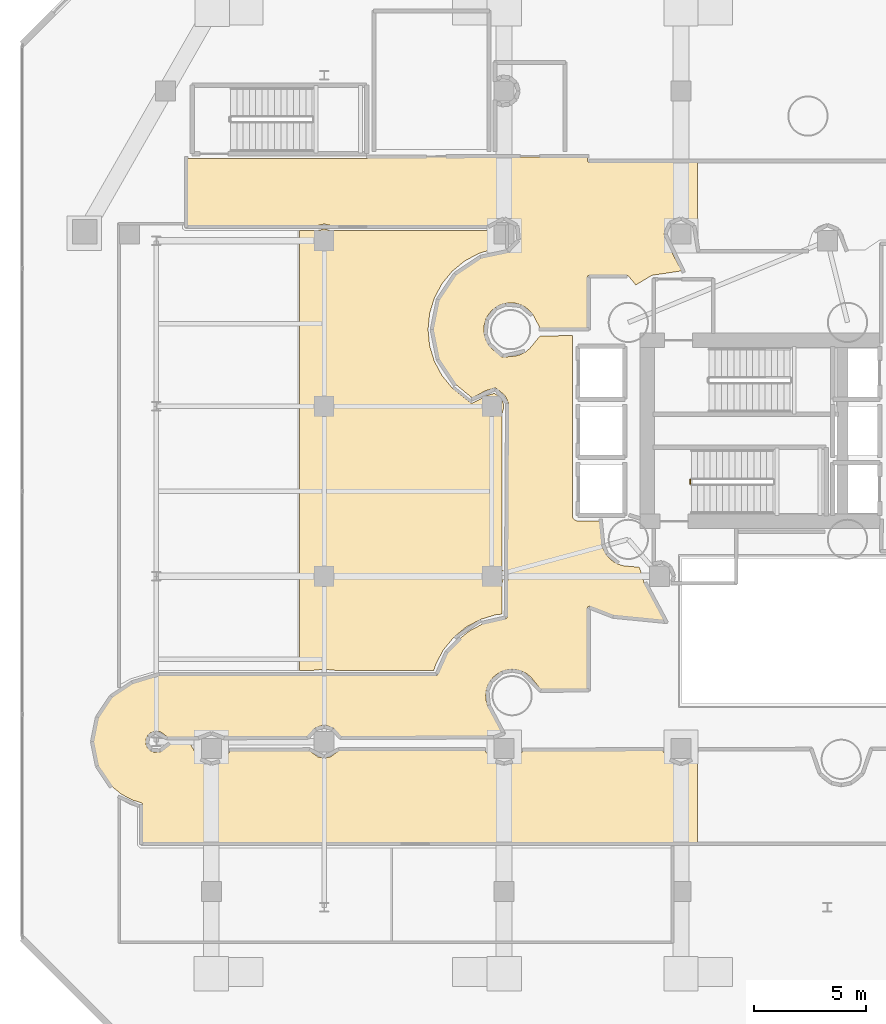
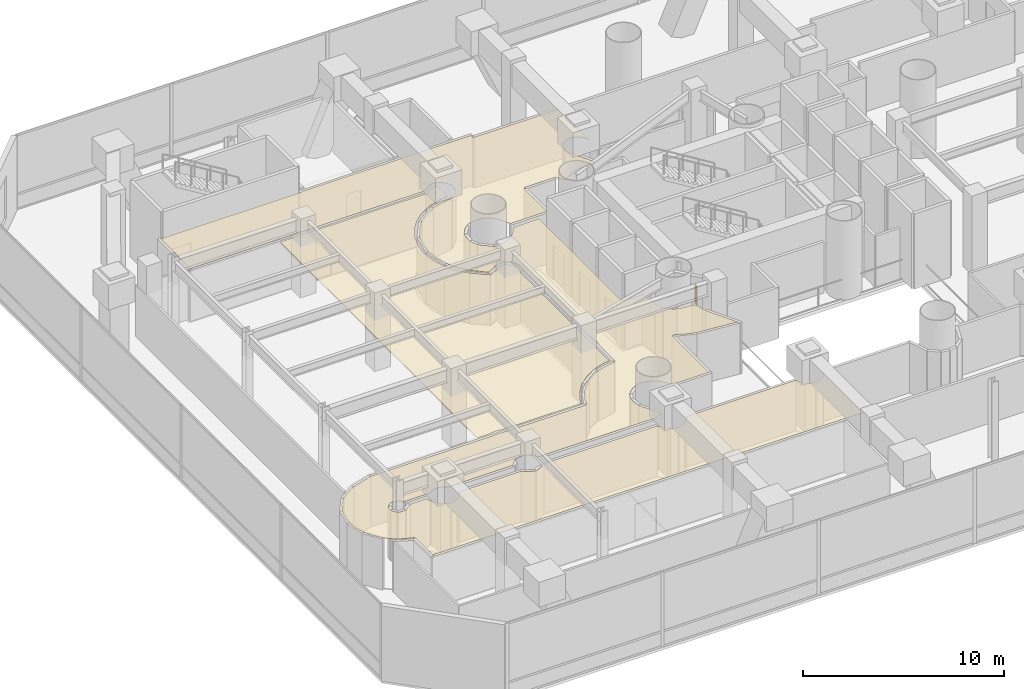
# One storey, part 37 of 45: 2 coverings, 1 railing.
"""IFC4 building model written with IfcOpenShell, lengths in metres."""

from ifc_helpers import new_model, si_unit, direction, frame, origin, origin_2d, place, context, subcontext, project, spatial, polyline, rectangle, outline, extrude, material, layer, layer_set, type_object, element, save


model = new_model("IFC4")

# Units and contexts
model_context = context("Model", 3, precision=1e-05, world=origin(), true_north=direction((0.0, 1.0)))
body_context = subcontext(model_context, "Body", "Model", "MODEL_VIEW")
ifc_project = project(units=[si_unit("LENGTHUNIT", "METRE"), si_unit("AREAUNIT", "SQUARE_METRE"), si_unit("VOLUMEUNIT", "CUBIC_METRE"), si_unit("PLANEANGLEUNIT", "RADIAN"), si_unit("MASSUNIT", "GRAM", prefix="KILO")], contexts=[model_context])

# Site, building, storey
site_placement = place(None, origin())
site = spatial("IfcSite", under=ifc_project, at=site_placement, CompositionType="ELEMENT")
building_placement = place(site_placement, origin())
building = spatial("IfcBuilding", under=site, at=building_placement, Name="Qianvela Tower", CompositionType="ELEMENT")
storey_placement = place(building_placement, frame((0.0, 0.0, 11.0)))
storey = spatial("IfcBuildingStorey", under=building, at=storey_placement, Name="L02", CompositionType="ELEMENT", Elevation=11.0)

# Coverings
ifc_material_1 = material(Name="Perforated Mineral Acoustic Ceiling Tile")
ifc_layer = layer(ifc_material_1, 0.02490234375)
ifc_layer_set = layer_set([ifc_layer], Name="Perforated Mineral Acoustic Ceiling Tile")
covering_type = type_object("IfcCoveringType", Name="COV-CEIL-ACOUSTIC-25", PredefinedType="CEILING", material=ifc_layer_set)
covering_1_placement = place(storey_placement, frame((0.0, 0.0, 3.074951171875)))
element("IfcCovering", 1, at=covering_1_placement, inside=storey, type_object=covering_type, Name="L02 Acoustic Ceiling Bay 1 L02 Concourse Gallery Corridor", PredefinedType="CEILING", context=body_context, shape_type="SweptSolid", body=[
    extrude(outline(polyline([(7.6953125, 15.237548828125), (7.68896484375, 15.2412109375), (7.682373046875, 15.243896484375), (7.67529296875, 15.246337890625), (7.668212890625, 15.248046875), (7.660888671875, 15.249267578125), (7.4296875, 15.27197265625), (7.422119140625, 15.272216796875), (7.4140625, 15.27197265625), (7.406494140625, 15.270751953125), (7.398681640625, 15.268798828125), (7.391357421875, 15.26611328125), (7.247314453125, 15.20654296875), (7.239990234375, 15.203125), (7.2333984375, 15.19921875), (7.22705078125, 15.1943359375), (7.22119140625, 15.189208984375), (7.11083984375, 15.078857421875), (7.105712890625, 15.072998046875), (7.100830078125, 15.066650390625), (7.096923828125, 15.059814453125), (7.093505859375, 15.052734375), (7.03369140625, 14.90869140625), (7.031005859375, 14.9013671875), (7.029296875, 14.8935546875), (7.028076171875, 14.885986328125), (7.027587890625, 14.8779296875), (7.027587890625, 14.721923828125), (7.028076171875, 14.714111328125), (7.029296875, 14.706298828125), (7.031005859375, 14.69873046875), (7.03369140625, 14.69140625), (7.093505859375, 14.547119140625), (7.096923828125, 14.5400390625), (7.100830078125, 14.533203125), (7.105712890625, 14.527099609375), (7.11083984375, 14.521240234375), (7.22119140625, 14.410888671875), (7.22705078125, 14.405517578125), (7.2333984375, 14.40087890625), (7.239990234375, 14.39697265625), (7.247314453125, 14.3935546875), (7.391357421875, 14.333740234375), (7.398681640625, 14.3310546875), (7.406494140625, 14.3291015625), (7.4140625, 14.328125), (7.422119140625, 14.32763671875), (7.4296875, 14.328125), (7.660888671875, 14.350830078125), (7.668212890625, 14.351806640625), (7.675537109375, 14.353759765625), (7.6826171875, 14.356201171875), (7.689453125, 14.359130859375), (7.69580078125, 14.36279296875), (7.701904296875, 14.3671875), (8.094482421875, 14.67041015625), (9.038818359375, 14.6728515625), (9.344482421875, 14.101318359375), (9.348388671875, 14.094482421875), (9.35302734375, 14.088134765625), (9.433837890625, 13.989501953125), (9.439208984375, 13.98388671875), (9.445068359375, 13.978515625), (9.451416015625, 13.973876953125), (9.662109375, 13.8330078125), (9.6689453125, 13.828857421875), (9.676025390625, 13.82568359375), (9.683349609375, 13.822998046875), (9.69091796875, 13.821044921875), (9.939697265625, 13.771484375), (9.947509765625, 13.7705078125), (9.955322265625, 13.77001953125), (9.963134765625, 13.7705078125), (9.970947265625, 13.771484375), (10.2197265625, 13.821044921875), (10.227294921875, 13.822998046875), (10.23486328125, 13.82568359375), (10.241943359375, 13.828857421875), (10.354248046875, 13.888916015625), (10.361083984375, 13.89306640625), (10.3671875, 13.897705078125), (10.4658203125, 13.978515625), (10.4716796875, 13.98388671875), (10.476806640625, 13.989501953125), (10.81005859375, 14.3955078125), (14.338623046875, 14.404296875), (14.703857421875, 14.135009765625), (14.711181640625, 14.13037109375), (14.718994140625, 14.126220703125), (14.72705078125, 14.123291015625), (14.735595703125, 14.12109375), (14.984375, 14.071533203125), (14.9921875, 14.0703125), (15.0, 14.070068359375), (15.0078125, 14.0703125), (15.015625, 14.071533203125), (15.264404296875, 14.12109375), (15.27294921875, 14.123291015625), (15.281005859375, 14.126220703125), (15.288818359375, 14.13037109375), (15.29638671875, 14.135009765625), (15.665283203125, 14.40771484375), (22.166748046875, 14.423828125), (22.523193359375, 13.989501953125), (22.5283203125, 13.98388671875), (22.5341796875, 13.978515625), (22.6328125, 13.897705078125), (22.638916015625, 13.89306640625), (22.645751953125, 13.888916015625), (22.65283203125, 13.885498046875), (22.88720703125, 13.78857421875), (22.89453125, 13.785888671875), (22.902099609375, 13.783935546875), (22.909912109375, 13.782958984375), (23.036865234375, 13.7705078125), (23.044677734375, 13.77001953125), (23.052490234375, 13.7705078125), (23.17919921875, 13.782958984375), (23.18701171875, 13.783935546875), (23.194580078125, 13.785888671875), (23.201904296875, 13.78857421875), (23.436279296875, 13.885498046875), (23.443359375, 13.888916015625), (23.4501953125, 13.89306640625), (23.45654296875, 13.897705078125), (23.554931640625, 13.978515625), (23.560791015625, 13.98388671875), (23.566162109375, 13.989501953125), (23.899169921875, 14.3955078125), (30.12841796875, 14.4111328125), (30.4150390625, 13.981689453125), (30.419921875, 13.9755859375), (30.425048828125, 13.9697265625), (30.430908203125, 13.96435546875), (30.437255859375, 13.959716796875), (30.654541015625, 13.814453125), (30.661376953125, 13.810302734375), (30.66845703125, 13.80712890625), (30.67578125, 13.804443359375), (30.683349609375, 13.802490234375), (30.939697265625, 13.75146484375), (30.947509765625, 13.75048828125), (30.955322265625, 13.75), (30.963134765625, 13.75048828125), (30.970947265625, 13.75146484375), (31.227294921875, 13.802490234375), (31.235107421875, 13.804443359375), (31.242431640625, 13.80712890625), (31.24951171875, 13.810302734375), (31.256103515625, 13.814453125), (31.4736328125, 13.959716796875), (31.47998046875, 13.96435546875), (31.485595703125, 13.9697265625), (31.490966796875, 13.9755859375), (31.49560546875, 13.981689453125), (31.68701171875, 14.26806640625), (31.68701171875, 10.280029296875), (6.8798828125, 10.280029296875), (6.8798828125, 11.996337890625), (6.879638671875, 12.00439453125), (6.87841796875, 12.01220703125), (6.876708984375, 12.019775390625), (6.873779296875, 12.027099609375), (6.87060546875, 12.0341796875), (6.866455078125, 12.041015625), (6.86181640625, 12.047119140625), (6.856689453125, 12.052978515625), (6.850830078125, 12.058349609375), (6.844482421875, 12.06298828125), (6.837646484375, 12.06689453125), (6.83056640625, 12.0703125), (6.8232421875, 12.072998046875), (6.4208984375, 12.195068359375), (5.93359375, 12.45556640625), (5.506103515625, 12.80615234375), (5.155517578125, 13.2333984375), (4.89501953125, 13.720947265625), (4.734619140625, 14.25), (4.680419921875, 14.800048828125), (4.734619140625, 15.35009765625), (4.89501953125, 15.87890625), (5.155517578125, 16.366455078125), (5.506103515625, 16.793701171875), (5.93359375, 17.144287109375), (6.4208984375, 17.405029296875), (7.624267578125, 17.77001953125), (14.4921875, 17.77001953125), (14.500244140625, 17.7705078125), (15.0, 17.819580078125), (15.499755859375, 17.7705078125), (15.5078125, 17.77001953125), (20.012451171875, 17.77001953125), (20.020263671875, 17.7705078125), (20.028076171875, 17.771484375), (20.03564453125, 17.7734375), (20.043212890625, 17.776123046875), (20.050048828125, 17.779296875), (20.056884765625, 17.783447265625), (20.063232421875, 17.7880859375), (20.069091796875, 17.79345703125), (20.07421875, 17.79931640625), (20.0791015625, 17.8056640625), (20.0830078125, 17.812255859375), (20.086181640625, 17.8193359375), (20.089111328125, 17.826904296875), (20.198486328125, 18.187744140625), (20.51904296875, 18.78759765625), (20.95068359375, 19.3134765625), (21.476318359375, 19.744873046875), (22.076171875, 20.0654296875), (22.72705078125, 20.262939453125), (23.10791015625, 20.30029296875), (23.115478515625, 20.301513671875), (23.123291015625, 20.303466796875), (23.130615234375, 20.30615234375), (23.1376953125, 20.3095703125), (23.144287109375, 20.3134765625), (23.15087890625, 20.318115234375), (23.156494140625, 20.323486328125), (23.161865234375, 20.329345703125), (23.16650390625, 20.335693359375), (23.170654296875, 20.34228515625), (23.173828125, 20.349365234375), (23.176513671875, 20.356689453125), (23.178466796875, 20.364501953125), (23.1796875, 20.372314453125), (23.179931640625, 20.380126953125), (23.179931640625, 21.872314453125), (23.248046875, 22.182861328125), (23.24951171875, 22.19140625), (23.25, 22.199951171875), (23.24951171875, 22.20849609375), (23.248046875, 22.217041015625), (23.179931640625, 22.527587890625), (23.179931640625, 29.468994140625), (23.233642578125, 29.64599609375), (23.235595703125, 29.65380859375), (23.23681640625, 29.661376953125), (23.237060546875, 29.669189453125), (23.237060546875, 29.9306640625), (23.23681640625, 29.938720703125), (23.235595703125, 29.9462890625), (23.233642578125, 29.953857421875), (23.23095703125, 29.961181640625), (23.131103515625, 30.202880859375), (23.127685546875, 30.2099609375), (23.12353515625, 30.216796875), (23.118896484375, 30.222900390625), (23.03564453125, 30.324462890625), (23.0302734375, 30.330322265625), (23.0244140625, 30.335693359375), (22.6982421875, 30.603515625), (22.69189453125, 30.60791015625), (22.685302734375, 30.612060546875), (22.677978515625, 30.615478515625), (22.670654296875, 30.6181640625), (22.6630859375, 30.6201171875), (22.6552734375, 30.62109375), (22.6474609375, 30.62158203125), (22.6396484375, 30.62109375), (22.6318359375, 30.6201171875), (22.624267578125, 30.6181640625), (22.220458984375, 30.49560546875), (22.212890625, 30.492919921875), (22.205810546875, 30.489501953125), (21.6162109375, 30.17431640625), (20.884521484375, 30.774658203125), (20.453125, 31.30029296875), (20.132568359375, 31.900146484375), (19.93505859375, 32.551025390625), (19.868408203125, 33.22802734375), (19.93505859375, 33.90478515625), (20.132568359375, 34.555908203125), (20.453125, 35.155517578125), (20.884521484375, 35.681396484375), (21.410400390625, 36.11279296875), (22.01025390625, 36.43359375), (22.6611328125, 36.630859375), (23.20703125, 36.684814453125), (23.21484375, 36.685791015625), (23.222412109375, 36.687744140625), (23.229736328125, 36.6904296875), (23.23681640625, 36.69384765625), (23.24365234375, 36.69775390625), (23.25, 36.702392578125), (23.569091796875, 36.96435546875), (23.574951171875, 36.9697265625), (23.580078125, 36.9755859375), (23.5849609375, 36.981689453125), (23.72998046875, 37.19921875), (23.734130859375, 37.205810546875), (23.737548828125, 37.212890625), (23.740234375, 37.220458984375), (23.7421875, 37.22802734375), (23.793212890625, 37.484375), (23.794189453125, 37.4921875), (23.794677734375, 37.5), (23.794189453125, 37.5078125), (23.78125, 37.638671875), (23.7802734375, 37.646240234375), (23.7783203125, 37.65380859375), (23.775634765625, 37.661376953125), (23.675537109375, 37.90283203125), (23.672119140625, 37.909912109375), (23.668212890625, 37.916748046875), (23.66357421875, 37.923095703125), (23.658203125, 37.9287109375), (23.473388671875, 38.11376953125), (23.467529296875, 38.118896484375), (23.461181640625, 38.12353515625), (23.45458984375, 38.127685546875), (23.447509765625, 38.131103515625), (23.205810546875, 38.23095703125), (23.198486328125, 38.233642578125), (23.19091796875, 38.235595703125), (23.18310546875, 38.23681640625), (23.052490234375, 38.24951171875), (23.044677734375, 38.25), (23.036865234375, 38.24951171875), (22.906005859375, 38.23681640625), (22.898193359375, 38.235595703125), (22.890625, 38.233642578125), (22.88330078125, 38.23095703125), (22.641845703125, 38.131103515625), (22.634765625, 38.127685546875), (22.6279296875, 38.12353515625), (22.62158203125, 38.118896484375), (22.33056640625, 37.8798828125), (15.32763671875, 37.8798828125), (15.01708984375, 37.947998046875), (15.008544921875, 37.949462890625), (15.0, 37.949951171875), (14.991455078125, 37.949462890625), (14.98291015625, 37.947998046875), (14.67236328125, 37.8798828125), (8.8798828125, 37.8798828125), (8.8798828125, 40.8798828125), (16.89990234375, 40.8798828125), (16.908203125, 40.88037109375), (16.916015625, 40.881591796875), (16.923828125, 40.8837890625), (17.103759765625, 40.93994140625), (26.77001953125, 40.93994140625), (26.77001953125, 40.800048828125), (26.7705078125, 40.792236328125), (26.771484375, 40.784423828125), (26.7734375, 40.77685546875), (26.776123046875, 40.769287109375), (26.779296875, 40.76220703125), (26.783447265625, 40.755615234375), (26.7880859375, 40.749267578125), (26.79345703125, 40.743408203125), (26.79931640625, 40.73828125), (26.8056640625, 40.7333984375), (26.812255859375, 40.7294921875), (26.8193359375, 40.72607421875), (26.826904296875, 40.723388671875), (26.83447265625, 40.721435546875), (26.84228515625, 40.720458984375), (26.85009765625, 40.719970703125), (31.68701171875, 40.719970703125), (31.68701171875, 37.659912109375), (31.686279296875, 37.661376953125), (31.58642578125, 37.90283203125), (31.5830078125, 37.909912109375), (31.5791015625, 37.916748046875), (31.57421875, 37.923095703125), (31.569091796875, 37.9287109375), (31.38427734375, 38.11376953125), (31.37841796875, 38.118896484375), (31.3720703125, 38.12353515625), (31.365234375, 38.127685546875), (31.358154296875, 38.131103515625), (31.11669921875, 38.23095703125), (31.109375, 38.233642578125), (31.101806640625, 38.235595703125), (31.093994140625, 38.23681640625), (30.963134765625, 38.24951171875), (30.955322265625, 38.25), (30.947509765625, 38.24951171875), (30.939697265625, 38.24853515625), (30.683349609375, 38.197509765625), (30.67578125, 38.195556640625), (30.66845703125, 38.19287109375), (30.661376953125, 38.189697265625), (30.654541015625, 38.185546875), (30.437255859375, 38.040283203125), (30.430908203125, 38.03564453125), (30.425048828125, 38.0302734375), (30.419921875, 38.0244140625), (30.4150390625, 38.018310546875), (30.27001953125, 37.80078125), (30.265869140625, 37.794189453125), (30.262451171875, 37.787109375), (30.259765625, 37.779541015625), (30.2578125, 37.77197265625), (30.206787109375, 37.515625), (30.205810546875, 37.5078125), (30.205322265625, 37.5), (30.205810546875, 37.4921875), (30.206787109375, 37.484375), (30.2578125, 37.22802734375), (30.259765625, 37.220458984375), (30.262451171875, 37.212890625), (30.265869140625, 37.205810546875), (30.988037109375, 35.854736328125), (29.670166015625, 35.658447265625), (29.66259765625, 35.656982421875), (29.655029296875, 35.65478515625), (29.64794921875, 35.651611328125), (29.64111328125, 35.64794921875), (28.93408203125, 35.226318359375), (28.60205078125, 35.630859375), (28.5966796875, 35.63671875), (28.5908203125, 35.641845703125), (28.584716796875, 35.646484375), (28.577880859375, 35.650634765625), (28.57080078125, 35.65380859375), (28.563232421875, 35.656494140625), (28.5556640625, 35.658447265625), (28.548095703125, 35.65966796875), (28.5400390625, 35.659912109375), (26.85009765625, 35.659912109375), (26.84228515625, 35.65966796875), (26.83447265625, 35.658447265625), (26.826904296875, 35.656494140625), (26.8193359375, 35.65380859375), (26.812255859375, 35.650634765625), (26.8056640625, 35.646484375), (26.79931640625, 35.641845703125), (26.79345703125, 35.63671875), (26.7880859375, 35.630859375), (26.783447265625, 35.62451171875), (26.779296875, 35.61767578125), (26.776123046875, 35.610595703125), (26.7734375, 35.603271484375), (26.771484375, 35.595703125), (26.7705078125, 35.587890625), (26.77001953125, 35.580078125), (26.77001953125, 33.29736328125), (24.658203125, 33.2919921875), (24.33984375, 33.887939453125), (24.335693359375, 33.894775390625), (24.3310546875, 33.90087890625), (24.19189453125, 34.07080078125), (24.1865234375, 34.076416015625), (24.1806640625, 34.081787109375), (24.010986328125, 34.22119140625), (24.004638671875, 34.225830078125), (23.998046875, 34.229736328125), (23.80419921875, 34.333251953125), (23.797119140625, 34.336669921875), (23.789794921875, 34.33935546875), (23.57958984375, 34.403076171875), (23.572021484375, 34.40478515625), (23.564208984375, 34.406005859375), (23.345703125, 34.427490234375), (23.337890625, 34.427978515625), (23.330078125, 34.427490234375), (23.11181640625, 34.406005859375), (23.10400390625, 34.40478515625), (23.09619140625, 34.403076171875), (22.88623046875, 34.33935546875), (22.87890625, 34.336669921875), (22.87158203125, 34.333251953125), (22.677978515625, 34.229736328125), (22.67138671875, 34.225830078125), (22.6650390625, 34.22119140625), (22.495361328125, 34.081787109375), (22.489501953125, 34.076416015625), (22.484130859375, 34.07080078125), (22.344970703125, 33.90087890625), (22.340087890625, 33.894775390625), (22.336181640625, 33.887939453125), (22.232666015625, 33.6943359375), (22.229248046875, 33.687255859375), (22.226806640625, 33.6796875), (22.1630859375, 33.4697265625), (22.1611328125, 33.462158203125), (22.159912109375, 33.454345703125), (22.138427734375, 33.23583984375), (22.137939453125, 33.22802734375), (22.138427734375, 33.22021484375), (22.159912109375, 33.001708984375), (22.1611328125, 32.993896484375), (22.1630859375, 32.986328125), (22.226806640625, 32.776123046875), (22.229248046875, 32.768798828125), (22.232666015625, 32.76171875), (22.336181640625, 32.568115234375), (22.340087890625, 32.561279296875), (22.344970703125, 32.554931640625), (22.484130859375, 32.38525390625), (22.489501953125, 32.37939453125), (22.495361328125, 32.374267578125), (22.93701171875, 32.01171875), (22.943359375, 32.007080078125), (22.9501953125, 32.0029296875), (22.957275390625, 31.99951171875), (22.964599609375, 31.9970703125), (22.97216796875, 31.9951171875), (22.97998046875, 31.993896484375), (22.98779296875, 31.993408203125), (22.99560546875, 31.993896484375), (23.564208984375, 32.0498046875), (23.572021484375, 32.051025390625), (23.57958984375, 32.052978515625), (23.789794921875, 32.11669921875), (23.797119140625, 32.119384765625), (23.80419921875, 32.122802734375), (23.998046875, 32.226318359375), (24.004638671875, 32.230224609375), (24.010986328125, 32.23486328125), (24.1806640625, 32.374267578125), (24.1865234375, 32.37939453125), (24.19189453125, 32.38525390625), (24.656982421875, 32.951904296875), (26.099609375, 32.95556640625), (26.10595703125, 24.859375), (26.1064453125, 24.8515625), (26.107666015625, 24.84375), (26.109619140625, 24.836181640625), (26.112060546875, 24.82861328125), (26.115478515625, 24.821533203125), (26.119384765625, 24.81494140625), (26.164794921875, 24.747314453125), (26.169189453125, 24.740966796875), (26.174560546875, 24.735107421875), (26.180419921875, 24.72998046875), (26.186767578125, 24.725341796875), (26.193603515625, 24.72119140625), (26.20068359375, 24.718017578125), (26.275634765625, 24.686767578125), (26.282958984375, 24.68408203125), (26.29052734375, 24.68212890625), (26.29833984375, 24.68115234375), (26.30615234375, 24.6806640625), (27.31787109375, 24.679931640625), (27.421875, 23.623779296875), (27.423095703125, 23.615966796875), (27.425048828125, 23.6083984375), (27.48876953125, 23.398193359375), (27.4912109375, 23.390869140625), (27.49462890625, 23.3837890625), (27.59814453125, 23.18994140625), (27.602294921875, 23.183349609375), (27.60693359375, 23.177001953125), (27.74609375, 23.00732421875), (27.75146484375, 23.00146484375), (27.75732421875, 22.99609375), (27.927001953125, 22.85693359375), (27.933349609375, 22.852294921875), (27.93994140625, 22.84814453125), (28.1337890625, 22.74462890625), (28.140869140625, 22.7412109375), (28.148193359375, 22.73876953125), (28.3583984375, 22.675048828125), (28.365966796875, 22.673095703125), (28.373779296875, 22.671875), (29.09814453125, 22.6005859375), (29.304443359375, 21.92041015625), (29.30712890625, 21.9130859375), (29.310302734375, 21.906005859375), (30.210693359375, 20.2216796875), (27.923095703125, 20.447021484375), (27.272216796875, 20.64453125), (26.8876953125, 20.85009765625), (26.880615234375, 20.853515625), (26.873291015625, 20.85595703125), (26.865478515625, 20.85791015625), (26.85791015625, 20.859130859375), (26.85009765625, 20.859619140625), (26.84228515625, 20.859130859375), (26.83447265625, 20.85791015625), (26.826904296875, 20.85595703125), (26.8193359375, 20.853515625), (26.812255859375, 20.85009765625), (26.8056640625, 20.845947265625), (26.79931640625, 20.84130859375), (26.79345703125, 20.8359375), (26.7880859375, 20.830078125), (26.783447265625, 20.823974609375), (26.779296875, 20.817138671875), (26.776123046875, 20.81005859375), (26.7734375, 20.802734375), (26.771484375, 20.795166015625), (26.7705078125, 20.787353515625), (26.77001953125, 20.779541015625), (26.77001953125, 17.145751953125), (24.693359375, 17.140380859375), (24.24365234375, 17.688720703125), (24.23828125, 17.6943359375), (24.232666015625, 17.69970703125), (24.06591796875, 17.83642578125), (24.0595703125, 17.841064453125), (24.052734375, 17.84521484375), (23.86279296875, 17.94677734375), (23.855712890625, 17.9501953125), (23.84814453125, 17.952880859375), (23.641845703125, 18.015380859375), (23.63427734375, 18.017333984375), (23.62646484375, 18.0185546875), (23.411865234375, 18.03955078125), (23.404052734375, 18.0400390625), (23.396240234375, 18.03955078125), (23.181640625, 18.0185546875), (23.173828125, 18.017333984375), (23.166259765625, 18.015380859375), (22.959716796875, 17.952880859375), (22.952392578125, 17.9501953125), (22.9453125, 17.94677734375), (22.755126953125, 17.84521484375), (22.748291015625, 17.841064453125), (22.7421875, 17.83642578125), (22.575439453125, 17.69970703125), (22.569580078125, 17.6943359375), (22.564208984375, 17.688720703125), (22.427490234375, 17.52197265625), (22.4228515625, 17.515625), (22.418701171875, 17.5087890625), (22.317138671875, 17.318603515625), (22.313720703125, 17.3115234375), (22.311279296875, 17.30419921875), (22.24853515625, 17.097900390625), (22.24658203125, 17.090087890625), (22.24560546875, 17.08251953125), (22.224365234375, 16.867919921875), (22.22412109375, 16.860107421875), (22.224365234375, 16.852294921875), (22.24560546875, 16.6376953125), (22.24658203125, 16.6298828125), (22.24853515625, 16.622314453125), (22.311279296875, 16.415771484375), (22.313720703125, 16.408447265625), (22.317138671875, 16.4013671875), (22.955078125, 15.20751953125), (22.782958984375, 15.179443359375), (22.774658203125, 15.177734375), (22.7666015625, 15.175048828125), (22.759033203125, 15.17138671875), (22.751708984375, 15.167236328125), (22.569580078125, 15.046630859375), (15.74951171875, 15.029541015625), (15.42041015625, 15.39404296875), (15.41552734375, 15.399169921875), (15.41015625, 15.40380859375), (15.404296875, 15.40771484375), (15.398193359375, 15.411376953125), (15.3916015625, 15.414306640625), (15.157470703125, 15.511474609375), (15.14990234375, 15.51416015625), (15.142333984375, 15.51611328125), (15.134765625, 15.51708984375), (15.0078125, 15.529541015625), (15.0, 15.530029296875), (14.9921875, 15.529541015625), (14.865234375, 15.51708984375), (14.857666015625, 15.51611328125), (14.85009765625, 15.51416015625), (14.842529296875, 15.511474609375), (14.6083984375, 15.414306640625), (14.601806640625, 15.411376953125), (14.595703125, 15.40771484375), (14.58984375, 15.40380859375), (14.58447265625, 15.399169921875), (14.57958984375, 15.39404296875), (14.247314453125, 15.02587890625), (10.531005859375, 15.0166015625), (10.241943359375, 15.171142578125), (10.23486328125, 15.17431640625), (10.227294921875, 15.177001953125), (10.2197265625, 15.178955078125), (9.970947265625, 15.228515625), (9.963134765625, 15.2294921875), (9.955322265625, 15.22998046875), (9.947509765625, 15.2294921875), (9.939697265625, 15.228515625), (9.69091796875, 15.178955078125), (9.683349609375, 15.177001953125), (9.676025390625, 15.17431640625), (9.6689453125, 15.171142578125), (9.37451171875, 15.013671875), (7.99560546875, 15.01025390625), (7.701416015625, 15.2333984375), (7.6953125, 15.237548828125)])), origin(), (0.0, 0.0, 1.0), 0.025146484375),
])
covering_2_placement = place(storey_placement, frame((0.0, 0.0, 3.074951171875)))
element("IfcCovering", 2, at=covering_2_placement, inside=storey, type_object=covering_type, Name="L02 Acoustic Ceiling Bay 2 L02 Social Study Lounge West", PredefinedType="CEILING", context=body_context, shape_type="SweptSolid", body=[
    extrude(outline(polyline([(22.622802734375, 36.849853515625), (22.616455078125, 36.848876953125), (22.610107421875, 36.84716796875), (21.9326171875, 36.6416015625), (21.925048828125, 36.638916015625), (21.91796875, 36.635498046875), (21.293701171875, 36.3017578125), (21.286865234375, 36.2978515625), (21.280517578125, 36.293212890625), (20.733154296875, 35.843994140625), (20.727294921875, 35.838623046875), (20.72216796875, 35.832763671875), (20.27294921875, 35.285400390625), (20.268310546875, 35.279296875), (20.26416015625, 35.2724609375), (19.930419921875, 34.64794921875), (19.927001953125, 34.640869140625), (19.92431640625, 34.633544921875), (19.71875, 33.955810546875), (19.716796875, 33.9482421875), (19.7158203125, 33.9404296875), (19.646484375, 33.23583984375), (19.64599609375, 33.22802734375), (19.646484375, 33.22021484375), (19.7158203125, 32.515380859375), (19.716796875, 32.5078125), (19.71875, 32.5), (19.92431640625, 31.822509765625), (19.927001953125, 31.815185546875), (19.930419921875, 31.80810546875), (20.26416015625, 31.18359375), (20.268310546875, 31.1767578125), (20.27294921875, 31.17041015625), (20.72216796875, 30.623291015625), (20.7275390625, 30.6171875), (20.73388671875, 30.611572265625), (21.55029296875, 29.95458984375), (21.556640625, 29.949951171875), (21.563232421875, 29.946044921875), (21.5703125, 29.94287109375), (21.577392578125, 29.940185546875), (21.5849609375, 29.9384765625), (21.592529296875, 29.937255859375), (21.600341796875, 29.936767578125), (21.60791015625, 29.937255859375), (21.615478515625, 29.938232421875), (21.623046875, 29.940185546875), (21.63037109375, 29.942626953125), (21.63720703125, 29.94580078125), (22.297607421875, 30.287109375), (22.6162109375, 30.383544921875), (22.872802734375, 30.1728515625), (22.93408203125, 30.098388671875), (23.01513671875, 29.902587890625), (23.01513671875, 29.689697265625), (22.961181640625, 29.503173828125), (22.95947265625, 29.495849609375), (22.95849609375, 29.488525390625), (22.9580078125, 29.48095703125), (22.9580078125, 22.51904296875), (22.95849609375, 22.510498046875), (22.959716796875, 22.502197265625), (23.024658203125, 22.199951171875), (22.959716796875, 21.897705078125), (22.95849609375, 21.889404296875), (22.9580078125, 21.881103515625), (22.9580078125, 20.5087890625), (22.69140625, 20.482177734375), (22.68359375, 20.481201171875), (22.676025390625, 20.479248046875), (21.99853515625, 20.273681640625), (21.9912109375, 20.27099609375), (21.98388671875, 20.267578125), (21.359619140625, 19.933837890625), (21.352783203125, 19.9296875), (21.3466796875, 19.925048828125), (20.8037109375, 19.47998046875), (20.7978515625, 19.474609375), (20.79248046875, 19.468994140625), (20.335693359375, 18.912353515625), (20.3310546875, 18.906005859375), (20.326904296875, 18.899169921875), (19.996337890625, 18.27978515625), (19.992919921875, 18.27294921875), (19.990478515625, 18.265380859375), (19.9072265625, 17.991943359375), (15.5146484375, 17.991943359375), (15.0078125, 18.04150390625), (15.0, 18.0419921875), (14.9921875, 18.04150390625), (14.4853515625, 17.991943359375), (13.90771484375, 17.991943359375), (13.90771484375, 37.657958984375), (14.680908203125, 37.657958984375), (14.689453125, 37.658447265625), (14.69775390625, 37.659912109375), (15.0, 37.724609375), (15.30224609375, 37.659912109375), (15.310546875, 37.658447265625), (15.319091796875, 37.657958984375), (22.359130859375, 37.657958984375), (22.36669921875, 37.658203125), (22.3740234375, 37.659423828125), (22.38134765625, 37.6611328125), (22.38818359375, 37.66357421875), (22.395263671875, 37.66650390625), (22.401611328125, 37.67041015625), (22.40771484375, 37.674560546875), (22.727783203125, 37.919921875), (23.1201171875, 37.919921875), (23.1201171875, 36.915283203125), (22.622802734375, 36.849853515625)])), origin(), (0.0, 0.0, 1.0), 0.025146484375),
])

# Railing
ifc_material_2 = material(Name="Painted Tubular Steel Q355B", Category="steel")
railing_type = type_object("IfcRailingType", Name="RL-STAIR-GUARD-1200", PredefinedType="GUARDRAIL", material=ifc_material_2)
railing_placement = place(storey_placement, frame((31.3701171875, 26.35009765625, 0.0)))
element("IfcRailing", 3, at=railing_placement, inside=storey, type_object=railing_type, Name="L02 ST-2 stair guard 4", PredefinedType="GUARDRAIL", context=body_context, shape_type="SweptSolid", body=[
    extrude(rectangle(XDim=0.050048828125, YDim=0.0400390625, at=origin_2d()), frame((0.0, 0.0, 1.179931640625), z_axis=(0.0, 1.0, 0.0), x_axis=(-1.0, 0.0, 0.0)), (0.0, 0.0, 1.0), 0.159912109375),
    extrude(rectangle(XDim=0.050048828125, YDim=0.050048828125, at=origin_2d()), origin(), (0.0, 0.0, 1.0), 1.159912109375),
    extrude(rectangle(XDim=0.050048828125, YDim=0.050048828125, at=origin_2d()), frame((0.0, 0.159912109375, 0.0)), (0.0, 0.0, 1.0), 1.159912109375),
])

save(model, "model.ifc")
